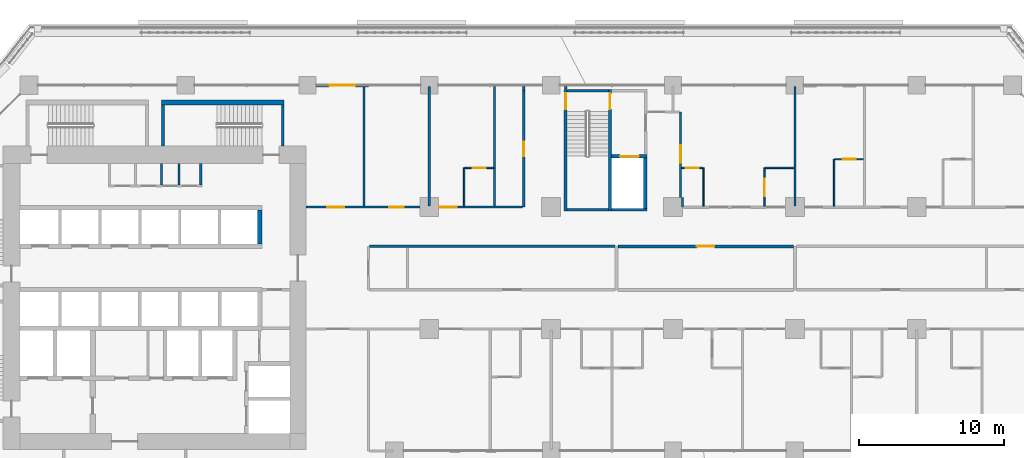
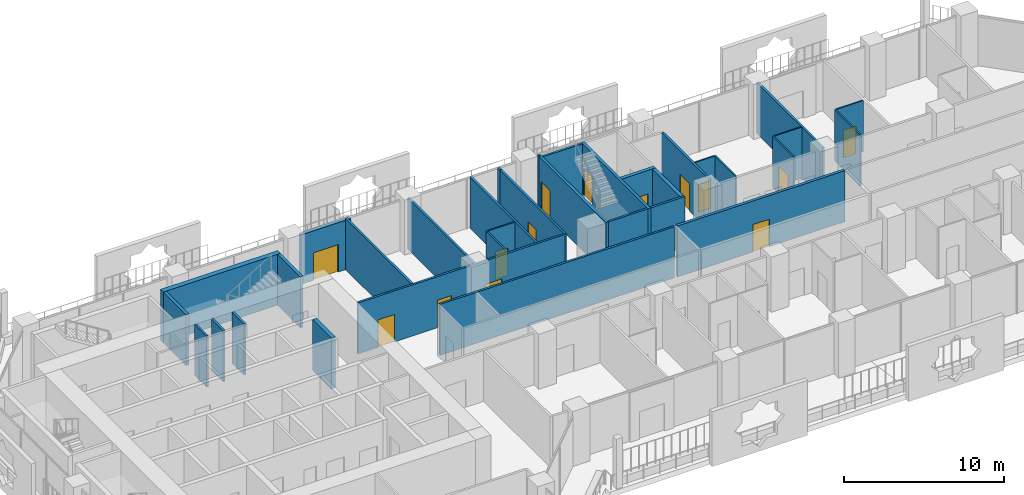
# One storey, part 18 of 28: 35 walls, 14 doors, 14 openings.
"""IFC4 building model written with IfcOpenShell, lengths in metres."""

import ifcopenshell
import ifcopenshell.guid

model = None  # the IFC model being written
_history = None  # IfcOwnerHistory: only IFC2X3 demands one
_inside = {}  # id of a spatial element -> (the spatial element, [elements in it])
_under = {}  # id of a project, library or spatial element -> (it, [spatial elements below it])
_declared = {}  # id of a project -> (the project, [libraries it declares])
_typed = {}  # id of a type object -> (the type object, [elements of that type])
_made_of = {}  # id of a material, layer set ... -> (it, [elements and type objects made of it])


def new_model(schema):
    """Start an empty IFC model of exactly this schema.

    Asked for "IFC4X3", IfcOpenShell would pick the latest addendum, in which some entities
    have other attributes; the version numbers below select the first issue.
    IFC2X3 requires an IfcOwnerHistory on every rooted entity: one is made here for all.
    """
    global model, _history
    if schema == "IFC4X3":
        model = ifcopenshell.file(schema_version=(4, 3, 0, 0))
    else:
        model = ifcopenshell.file(schema=schema)
    _inside.clear()
    _under.clear()
    _declared.clear()
    _typed.clear()
    _made_of.clear()
    _history = None
    if model.schema == "IFC2X3":
        org = make("IfcOrganization", Name="unknown")
        user = make(
            "IfcPersonAndOrganization",
            ThePerson=make("IfcPerson", FamilyName="unknown"),
            TheOrganization=org,
        )
        app = make(
            "IfcApplication",
            ApplicationDeveloper=org,
            Version="unknown",
            ApplicationFullName="unknown",
            ApplicationIdentifier="unknown",
        )
        _history = make(
            "IfcOwnerHistory",
            OwningUser=user,
            OwningApplication=app,
            ChangeAction="ADDED",
            CreationDate=0,
        )
    return model


def make(cls, **values):
    """One entity of the class cls with the attributes given. An attribute that is None is left unset."""
    return model.create_entity(
        cls, **{name: value for name, value in values.items() if value is not None}
    )


def rooted(cls, **values):
    """An entity with a GlobalId (a new one), such as an element, a storey or a relation."""
    return make(cls, GlobalId=ifcopenshell.guid.new(), OwnerHistory=_history, **values)


def si_unit(unit_type, name, prefix=None):
    """IfcSIUnit, for example si_unit("LENGTHUNIT", "METRE", prefix="MILLI")."""
    return make("IfcSIUnit", UnitType=unit_type, Prefix=prefix, Name=name)


def assignment(units):
    """IfcUnitAssignment: the units of a project."""
    return None if units is None else make("IfcUnitAssignment", Units=units)


def point(xyz):
    """IfcCartesianPoint."""
    return None if xyz is None else make("IfcCartesianPoint", Coordinates=xyz)


def direction(xyz):
    """IfcDirection."""
    return None if xyz is None else make("IfcDirection", DirectionRatios=xyz)


def frame(location, z_axis=None, x_axis=None):
    """IfcAxis2Placement3D, a coordinate frame: its origin and axes. An axis left out is left unset."""
    return make(
        "IfcAxis2Placement3D",
        Location=point(location),
        Axis=direction(z_axis),
        RefDirection=direction(x_axis),
    )


def frame_2d(location, x_axis=None):
    """IfcAxis2Placement2D, a coordinate frame in the plane: its origin and x axis."""
    return make(
        "IfcAxis2Placement2D", Location=point(location), RefDirection=direction(x_axis)
    )


def origin():
    """The frame at (0, 0, 0) with its axes left unset."""
    return frame((0.0, 0.0, 0.0))


def place(relative_to, where):
    """IfcLocalPlacement: puts the frame where relative to a parent placement (None: the world)."""
    return make(
        "IfcLocalPlacement", PlacementRelTo=relative_to, RelativePlacement=where
    )


def context(
    kind, dimensions, precision=None, world=None, true_north=None, identifier=None
):
    """IfcGeometricRepresentationContext, for example the 3D "Model" context."""
    return make(
        "IfcGeometricRepresentationContext",
        ContextIdentifier=identifier,
        ContextType=kind,
        CoordinateSpaceDimension=dimensions,
        Precision=precision,
        WorldCoordinateSystem=world,
        TrueNorth=true_north,
    )


def subcontext(parent, identifier, kind, view, scale=None):
    """IfcGeometricRepresentationSubContext, for example "Body" below "Model"."""
    return make(
        "IfcGeometricRepresentationSubContext",
        ContextIdentifier=identifier,
        ContextType=kind,
        ParentContext=parent,
        TargetScale=scale,
        TargetView=view,
    )


def project(units=None, contexts=None):
    """IfcProject with its units and contexts."""
    return rooted(
        "IfcProject",
        Name="project",
        RepresentationContexts=contexts,
        UnitsInContext=assignment(units),
    )


def spatial(cls, under=None, at=None, **own):
    """A site, building, storey or space (cls), placed at a placement, below another one or the project."""
    s = rooted(cls, ObjectPlacement=at, **own)
    if under is not None:
        _under.setdefault(under.id(), (under, []))[1].append(s)
    return s


def profile(cls, at=None, kind="AREA", **sizes):
    """A parametric profile (cls). Its sizes go by their IFC names, for example OverallWidth=200.0."""
    return make(cls, ProfileType=kind, Position=at, **sizes)


def rectangle(**sizes):
    """IfcRectangleProfileDef."""
    return profile("IfcRectangleProfileDef", **sizes)


def extrude(swept, where, along, depth):
    """IfcExtrudedAreaSolid: the profile swept, set in the frame where, extruded along a direction by depth."""
    return make(
        "IfcExtrudedAreaSolid",
        SweptArea=swept,
        Position=where,
        ExtrudedDirection=direction(along),
        Depth=depth,
    )


def shape(context_of_items, identifier, shape_type, items):
    """IfcShapeRepresentation: the items that make up one representation, for example the "Body"."""
    return make(
        "IfcShapeRepresentation",
        ContextOfItems=context_of_items,
        RepresentationIdentifier=identifier,
        RepresentationType=shape_type,
        Items=items,
    )


def material(Name=None, Category=None):
    """IfcMaterial."""
    return make("IfcMaterial", Name=Name, Category=Category)


def layer(
    of_material, thickness, ventilated=None, Name=None, Category=None, Priority=None
):
    """IfcMaterialLayer: one layer of a wall or slab, of a material (None: an air gap)."""
    return make(
        "IfcMaterialLayer",
        Material=of_material,
        LayerThickness=thickness,
        IsVentilated=ventilated,
        Name=Name,
        Category=Category,
        Priority=Priority,
    )


def layer_set(layers, Name=None):
    """IfcMaterialLayerSet."""
    return make("IfcMaterialLayerSet", MaterialLayers=layers, LayerSetName=Name)


def made_of(thing, what):
    """Note that an element or type object is made of a material, layer set ...; save() writes the relation."""
    if what is not None:
        _made_of.setdefault(what.id(), (what, []))[1].append(thing)
    return thing


def type_object(cls, material=None, **own):
    """A type object (cls), such as IfcWallType, which elements share."""
    return made_of(rooted(cls, **own), material)


def element(
    cls,
    number,
    at=None,
    inside=None,
    cuts=None,
    type_object=None,
    material=None,
    context=None,
    identifier="Body",
    shape_type=None,
    held_by="IfcProductDefinitionShape",
    body=None,
    shapes=None,
    **own,
):
    """One element of the class cls, such as IfcWall. Its Tag is "e" and its number.

    at: its placement. inside: the storey or other place that contains it. cuts: it is an
    opening in that element (IfcRelVoidsElement). A single representation is given by context,
    identifier, shape_type and body (its items); several are given by shapes. held_by: the class
    of the entity that holds the representations. save() writes the other relations.
    """
    e = rooted(cls, Tag="e%d" % number, ObjectPlacement=at, **own)
    if body is not None:
        shapes = [shape(context, identifier, shape_type, body)]
    if shapes is not None:
        e.Representation = make(held_by, Representations=shapes)
    if inside is not None:
        _inside.setdefault(inside.id(), (inside, []))[1].append(e)
    if cuts is not None:
        rooted(
            "IfcRelVoidsElement", RelatingBuildingElement=cuts, RelatedOpeningElement=e
        )
    if type_object is not None:
        _typed.setdefault(type_object.id(), (type_object, []))[1].append(e)
    return made_of(e, material)


def fill(opening, filler):
    """IfcRelFillsElement: the door or window that sits in an opening."""
    return rooted(
        "IfcRelFillsElement",
        RelatingOpeningElement=opening,
        RelatedBuildingElement=filler,
    )


def aggregate(whole, parts):
    """IfcRelAggregates: a whole, such as a stair, and the parts it consists of."""
    return rooted("IfcRelAggregates", RelatingObject=whole, RelatedObjects=parts)


def save(model, path):
    """Write the relations noted so far, then the file.

    IfcRelAggregates (storeys below a building ...), IfcRelContainedInSpatialStructure (elements
    in a storey), IfcRelDefinesByType, IfcRelAssociatesMaterial and IfcRelDeclares: one each for
    every whole, place, type object, material and project.
    """
    for whole, parts in _under.values():
        aggregate(whole, parts)
    for where, things in _inside.values():
        rooted(
            "IfcRelContainedInSpatialStructure",
            RelatedElements=things,
            RelatingStructure=where,
        )
    for kind, things in _typed.values():
        rooted("IfcRelDefinesByType", RelatedObjects=things, RelatingType=kind)
    for what, things in _made_of.values():
        rooted("IfcRelAssociatesMaterial", RelatedObjects=things, RelatingMaterial=what)
    for by, libraries in _declared.values():
        rooted("IfcRelDeclares", RelatingContext=by, RelatedDefinitions=libraries)
    model.write(path)


model = new_model("IFC4")

# Units and contexts
model_context = context("Model", 3, precision=1e-05, world=origin(), true_north=direction((0.0, 1.0)))
body_context = subcontext(model_context, "Body", "Model", "MODEL_VIEW")
ifc_project = project(units=[si_unit("LENGTHUNIT", "METRE"), si_unit("AREAUNIT", "SQUARE_METRE"), si_unit("VOLUMEUNIT", "CUBIC_METRE"), si_unit("PLANEANGLEUNIT", "RADIAN"), si_unit("MASSUNIT", "GRAM", prefix="KILO")], contexts=[model_context])

# Site, building, storey
site_placement = place(None, origin())
site = spatial("IfcSite", under=ifc_project, at=site_placement, CompositionType="ELEMENT")
building_placement = place(site_placement, origin())
building = spatial("IfcBuilding", under=site, at=building_placement, Name="Kawkab Arch Medical Tower", CompositionType="ELEMENT")
storey_placement = place(building_placement, frame((0.0, 0.0, 72.800048828125)))
storey = spatial("IfcBuildingStorey", under=building, at=storey_placement, Name="L16", CompositionType="ELEMENT", Elevation=72.800048828125)

# Walls
ifc_material_1 = material(Name="Gypsum board on steel studs", Category="steel")
ifc_layer_1 = layer(ifc_material_1, 0.14990234375)
ifc_layer_set_1 = layer_set([ifc_layer_1], Name="Gypsum board on steel studs")
wall_type_1 = type_object("IfcWallType", Name="Core room partition 150", PredefinedType="PARTITIONING", material=ifc_layer_set_1)
for number, where, z_axis, x_axis, name in (
    (1, (15.14990234375, -6.875, 0.0), (0.0, 0.0, 1.0), (0.0, 1.0, 0.0), "L16 core room partition"),
    (2, (16.35009765625, -6.875, 0.0), (0.0, 0.0, 1.0), (0.0, 1.0, 0.0), "L16 core room partition"),
    (3, (17.85009765625, -6.875, 0.0), (0.0, 0.0, 1.0), (0.0, 1.0, 0.0), "L16 core room partition"),
):
    element("IfcWall", number, at=place(storey_placement, frame(where, z_axis=z_axis, x_axis=x_axis)), inside=storey, type_object=wall_type_1, Name=name, PredefinedType="PARTITIONING", context=body_context, shape_type="SweptSolid", body=[
        extrude(rectangle(XDim=1.47509765625, YDim=0.14990234375, at=frame_2d((0.737548828125, 0.0))), origin(), (0.0, 0.0, 1.0), 3.89990234375),
    ])

# Wall, opening, door
ifc_material_2 = material(Name="Concrete C60/75", Category="concrete")
ifc_layer_2 = layer(ifc_material_2, 0.25)
ifc_layer_set_2 = layer_set([ifc_layer_2], Name="Concrete C60/75")
wall_type_2 = type_object("IfcWallType", Name="Core shear wall 250 C60/75", PredefinedType="SHEAR", material=ifc_layer_set_2)
wall_1_placement = place(storey_placement, frame((46.14990234375, -4.89990234375, 0.0), z_axis=(0.0, 0.0, 1.0), x_axis=(1.0, 0.0, 0.0)))
wall_1 = element("IfcWall", 4, at=wall_1_placement, inside=storey, type_object=wall_type_2, Name="L16 core shear wall", PredefinedType="SHEAR", context=body_context, shape_type="SweptSolid", body=[
    extrude(rectangle(XDim=2.4501953125, YDim=0.25, at=frame_2d((1.22509765625, 0.0))), origin(), (0.0, 0.0, 1.0), 3.89990234375),
])
opening_1_placement = place(wall_1_placement, frame((0.60009765625, 0.0, 0.0)))
opening_1 = element("IfcOpeningElement", 5, at=opening_1_placement, cuts=wall_1, Name="Opening LD2", PredefinedType="OPENING", context=body_context, shape_type="SweptSolid", body=[
    extrude(rectangle(XDim=1.300048828125, YDim=2.10009765625, at=frame_2d((0.64990234375, 1.050048828125))), frame((0.0, 0.135009765625, 0.0), z_axis=(0.0, -1.0, 0.0), x_axis=(1.0, 0.0, 0.0)), (0.0, 0.0, 1.0), 0.27001953125),
])
ifc_material_3 = material(Name="Stainless steel lift door leaf", Category="steel")
door_type_1 = type_object("IfcDoorType", Name="Lift landing door 1300", OperationType="DOUBLE_DOOR_SLIDING", PredefinedType="DOOR", material=ifc_material_3)
door_1_placement = place(opening_1_placement, origin())
door_1 = element("IfcDoor", 6, at=door_1_placement, inside=storey, type_object=door_type_1, Name="L16 Lift landing door SV1", OperationType="DOUBLE_DOOR_SLIDING", OverallHeight=2.10009765625, OverallWidth=1.300048828125, PredefinedType="DOOR", context=body_context, shape_type="SweptSolid", body=[
    extrude(rectangle(XDim=1.300048828125, YDim=2.10009765625, at=frame_2d((0.64990234375, 1.050048828125))), frame((0.0, 0.02490234375, 0.0), z_axis=(0.0, -1.0, 0.0), x_axis=(1.0, 0.0, 0.0)), (0.0, 0.0, 1.0), 0.050048828125),
])
fill(opening_1, door_1)

# Walls
wall_2_placement = place(storey_placement, frame((48.47509765625, -8.5, 0.0), z_axis=(0.0, 0.0, 1.0), x_axis=(0.0, 1.0, 0.0)))
element("IfcWall", 7, at=wall_2_placement, inside=storey, type_object=wall_type_2, Name="L16 core shear wall", PredefinedType="SHEAR", context=body_context, shape_type="SweptSolid", body=[
    extrude(rectangle(XDim=3.47509765625, YDim=0.25, at=frame_2d((1.737548828125, 0.0))), origin(), (0.0, 0.0, 1.0), 3.89990234375),
])
ifc_material_4 = material(Name="Concrete C60/75", Category="concrete")
ifc_layer_3 = layer(ifc_material_4, 0.300048828125)
ifc_layer_set_3 = layer_set([ifc_layer_3], Name="Concrete C60/75")
wall_type_3 = type_object("IfcWallType", Name="Core shear wall 300 C60/75", PredefinedType="SHEAR", material=ifc_layer_set_3)
wall_3_placement = place(storey_placement, frame((21.89990234375, -10.949951171875, 0.0), z_axis=(0.0, 0.0, 1.0), x_axis=(0.0, 1.0, 0.0)))
element("IfcWall", 8, at=wall_3_placement, inside=storey, type_object=wall_type_3, Name="L16 core shear wall", PredefinedType="SHEAR", context=body_context, shape_type="SweptSolid", body=[
    extrude(rectangle(XDim=2.349853515625, YDim=0.300048828125, at=frame_2d((1.1748046875, 0.0))), origin(), (0.0, 0.0, 1.0), 3.89990234375),
])

# Wall, opening, door
ifc_material_5 = material(Name="Bronze clad insulated wall panel")
ifc_layer_4 = layer(ifc_material_5, 0.25)
ifc_layer_set_4 = layer_set([ifc_layer_4], Name="Bronze clad insulated wall panel")
wall_type_4 = type_object("IfcWallType", Name="External wall bay 250", PredefinedType="SOLIDWALL", material=ifc_layer_set_4)
wall_4_placement = place(storey_placement, frame((29.39990234375, 0.0, 0.0), z_axis=(0.0, 0.0, 1.0), x_axis=(-1.0, 0.0, 0.0)))
wall_4 = element("IfcWall", 9, at=wall_4_placement, inside=storey, type_object=wall_type_4, Name="External wall bay L16.R11.6.2", PredefinedType="SOLIDWALL", context=body_context, shape_type="SweptSolid", body=[
    extrude(rectangle(XDim=3.599853515625, YDim=0.25, at=frame_2d((1.7998046875, 0.0))), origin(), (0.0, 0.0, 1.0), 3.780029296875),
])
opening_2_placement = place(wall_4_placement, frame((0.89990234375, 0.0, 0.0)))
opening_2 = element("IfcOpeningElement", 10, at=opening_2_placement, cuts=wall_4, Name="Opening W11-701", PredefinedType="OPENING", context=body_context, shape_type="SweptSolid", body=[
    extrude(rectangle(XDim=1.800048828125, YDim=2.10009765625, at=frame_2d((0.89990234375, 1.050048828125))), frame((0.0, 0.135009765625, 0.0), z_axis=(0.0, -1.0, 0.0), x_axis=(1.0, 0.0, 0.0)), (0.0, 0.0, 1.0), 0.27001953125),
])
ifc_material_6 = material(Name="Bronze anodised aluminium door with tinted glass", Category="aluminium")
door_type_2 = type_object("IfcDoorType", Name="Double external door 1800 x 2100", OperationType="DOUBLE_DOOR_SINGLE_SWING", PredefinedType="DOOR", material=ifc_material_6)
door_2_placement = place(opening_2_placement, origin())
door_2 = element("IfcDoor", 11, at=door_2_placement, inside=storey, type_object=door_type_2, Name="External door L16.R11.6.2", OperationType="DOUBLE_DOOR_SINGLE_SWING", OverallHeight=2.10009765625, OverallWidth=1.800048828125, PredefinedType="DOOR", context=body_context, shape_type="SweptSolid", body=[
    extrude(rectangle(XDim=1.800048828125, YDim=2.10009765625, at=frame_2d((0.89990234375, 1.050048828125))), frame((0.0, 0.02490234375, 0.0), z_axis=(0.0, -1.0, 0.0), x_axis=(1.0, 0.0, 0.0)), (0.0, 0.0, 1.0), 0.050048828125),
])
fill(opening_2, door_2)

ifc_material_7 = material(Name="Gypsum board partition on steel studs", Category="steel")
ifc_layer_5 = layer(ifc_material_7, 0.10009765625)
ifc_layer_set_5 = layer_set([ifc_layer_5], Name="Gypsum board partition on steel studs")
wall_type_5 = type_object("IfcWallType", Name="Partition 100", PredefinedType="PARTITIONING", material=ifc_layer_set_5)
wall_5_placement = place(storey_placement, frame((36.050048828125, -5.699951171875, 0.0), z_axis=(0.0, 0.0, 1.0), x_axis=(1.0, 0.0, 0.0)))
wall_5 = element("IfcWall", 12, at=wall_5_placement, inside=storey, type_object=wall_type_5, Name="Partition 100 w016", PredefinedType="PARTITIONING", context=body_context, shape_type="SweptSolid", body=[
    extrude(rectangle(XDim=1.974853515625, YDim=0.10009765625, at=frame_2d((0.9873046875, 0.0))), origin(), (0.0, 0.0, 1.0), 3.89990234375),
])
opening_3_placement = place(wall_5_placement, frame((0.550048828125, 0.0, 0.0)))
opening_3 = element("IfcOpeningElement", 13, at=opening_3_placement, cuts=wall_5, Name="Opening W11-006", PredefinedType="OPENING", context=body_context, shape_type="SweptSolid", body=[
    extrude(rectangle(XDim=0.89990234375, YDim=2.10009765625, at=frame_2d((0.449951171875, 1.050048828125))), frame((0.0, 0.06005859375, 0.0), z_axis=(0.0, -1.0, 0.0), x_axis=(1.0, 0.0, 0.0)), (0.0, 0.0, 1.0), 0.1201171875),
])
ifc_material_8 = material(Name="Timber door leaf", Category="wood")
door_type_3 = type_object("IfcDoorType", Name="Single door 900x2100", OperationType="NOTDEFINED", PredefinedType="DOOR", material=ifc_material_8)
door_3_placement = place(opening_3_placement, origin())
door_3 = element("IfcDoor", 14, at=door_3_placement, inside=storey, type_object=door_type_3, Name="Door W11-006", OperationType="SINGLE_SWING_RIGHT", OverallHeight=2.10009765625, OverallWidth=0.89990234375, PredefinedType="DOOR", context=body_context, shape_type="SweptSolid", body=[
    extrude(rectangle(XDim=0.89990234375, YDim=2.10009765625, at=frame_2d((0.449951171875, 1.050048828125))), frame((0.0, 0.02490234375, 0.0), z_axis=(0.0, -1.0, 0.0), x_axis=(1.0, 0.0, 0.0)), (0.0, 0.0, 1.0), 0.050048828125),
])
fill(opening_3, door_3)

wall_6_placement = place(storey_placement, frame((51.0, -5.699951171875, 0.0), z_axis=(0.0, 0.0, 1.0), x_axis=(1.0, 0.0, 0.0)))
wall_6 = element("IfcWall", 15, at=wall_6_placement, inside=storey, type_object=wall_type_5, Name="Partition 100 w017", PredefinedType="PARTITIONING", context=body_context, shape_type="SweptSolid", body=[
    extrude(rectangle(XDim=1.449951171875, YDim=0.10009765625, at=frame_2d((0.72509765625, 0.0))), origin(), (0.0, 0.0, 1.0), 3.89990234375),
])
opening_4_placement = place(wall_6_placement, frame((0.261962890625, 0.0, 0.0)))
opening_4 = element("IfcOpeningElement", 16, at=opening_4_placement, cuts=wall_6, Name="Opening W11-007", PredefinedType="OPENING", context=body_context, shape_type="SweptSolid", body=[
    extrude(rectangle(XDim=0.89990234375, YDim=2.10009765625, at=frame_2d((0.449951171875, 1.050048828125))), frame((0.0, 0.06005859375, 0.0), z_axis=(0.0, -1.0, 0.0), x_axis=(1.0, 0.0, 0.0)), (0.0, 0.0, 1.0), 0.1201171875),
])
door_4_placement = place(opening_4_placement, origin())
door_4 = element("IfcDoor", 17, at=door_4_placement, inside=storey, type_object=door_type_3, Name="Door W11-007", OperationType="SINGLE_SWING_RIGHT", OverallHeight=2.10009765625, OverallWidth=0.89990234375, PredefinedType="DOOR", context=body_context, shape_type="SweptSolid", body=[
    extrude(rectangle(XDim=0.89990234375, YDim=2.10009765625, at=frame_2d((0.449951171875, 1.050048828125))), frame((0.0, 0.02490234375, 0.0), z_axis=(0.0, -1.0, 0.0), x_axis=(1.0, 0.0, 0.0)), (0.0, 0.0, 1.0), 0.050048828125),
])
fill(opening_4, door_4)

# Wall
wall_7_placement = place(storey_placement, frame((56.75, -5.699951171875, 0.0), z_axis=(0.0, 0.0, 1.0), x_axis=(1.0, 0.0, 0.0)))
element("IfcWall", 18, at=wall_7_placement, inside=storey, type_object=wall_type_5, Name="Partition 100 w018", PredefinedType="PARTITIONING", context=body_context, shape_type="SweptSolid", body=[
    extrude(rectangle(XDim=1.97509765625, YDim=0.10009765625, at=frame_2d((0.987548828125, 0.0))), origin(), (0.0, 0.0, 1.0), 3.89990234375),
])

# Wall, opening, door
wall_8_placement = place(storey_placement, frame((61.550048828125, -5.10009765625, 0.0), z_axis=(0.0, 0.0, 1.0), x_axis=(1.0, 0.0, 0.0)))
wall_8 = element("IfcWall", 19, at=wall_8_placement, inside=storey, type_object=wall_type_5, Name="Partition 100 w019", PredefinedType="PARTITIONING", context=body_context, shape_type="SweptSolid", body=[
    extrude(rectangle(XDim=1.974853515625, YDim=0.10009765625, at=frame_2d((0.9873046875, 0.0))), origin(), (0.0, 0.0, 1.0), 3.89990234375),
])
opening_5_placement = place(wall_8_placement, frame((0.550048828125, 0.0, 0.0)))
opening_5 = element("IfcOpeningElement", 20, at=opening_5_placement, cuts=wall_8, Name="Opening W11-008", PredefinedType="OPENING", context=body_context, shape_type="SweptSolid", body=[
    extrude(rectangle(XDim=0.89990234375, YDim=2.10009765625, at=frame_2d((0.449951171875, 1.050048828125))), frame((0.0, 0.06005859375, 0.0), z_axis=(0.0, -1.0, 0.0), x_axis=(1.0, 0.0, 0.0)), (0.0, 0.0, 1.0), 0.1201171875),
])
door_5_placement = place(opening_5_placement, origin())
door_5 = element("IfcDoor", 21, at=door_5_placement, inside=storey, type_object=door_type_3, Name="Door W11-008", OperationType="SINGLE_SWING_RIGHT", OverallHeight=2.10009765625, OverallWidth=0.89990234375, PredefinedType="DOOR", context=body_context, shape_type="SweptSolid", body=[
    extrude(rectangle(XDim=0.89990234375, YDim=2.10009765625, at=frame_2d((0.449951171875, 1.050048828125))), frame((0.0, 0.02490234375, 0.0), z_axis=(0.0, -1.0, 0.0), x_axis=(1.0, 0.0, 0.0)), (0.0, 0.0, 1.0), 0.050048828125),
])
fill(opening_5, door_5)

# Walls
for number, where, z_axis, x_axis, name in (
    (22, (36.0, -8.324951171875, 0.0), (0.0, 0.0, 1.0), (0.0, 1.0, 0.0), "Partition 100 w027"),
    (23, (52.5, -8.324951171875, 0.0), (0.0, 0.0, 1.0), (0.0, 1.0, 0.0), "Partition 100 w031"),
):
    element("IfcWall", number, at=place(storey_placement, frame(where, z_axis=z_axis, x_axis=x_axis)), inside=storey, type_object=wall_type_5, Name=name, PredefinedType="PARTITIONING", context=body_context, shape_type="SweptSolid", body=[
        extrude(rectangle(XDim=2.625, YDim=0.10009765625, at=frame_2d((1.3125, 0.0))), origin(), (0.0, 0.0, 1.0), 3.89990234375),
    ])

# Wall, opening, door
wall_9_placement = place(storey_placement, frame((56.699951171875, -8.324951171875, 0.0), z_axis=(0.0, 0.0, 1.0), x_axis=(0.0, 1.0, 0.0)))
wall_9 = element("IfcWall", 24, at=wall_9_placement, inside=storey, type_object=wall_type_5, Name="Partition 100 w033", PredefinedType="PARTITIONING", context=body_context, shape_type="SweptSolid", body=[
    extrude(rectangle(XDim=2.625, YDim=0.10009765625, at=frame_2d((1.3125, 0.0))), origin(), (0.0, 0.0, 1.0), 3.89990234375),
])
opening_6_placement = place(wall_9_placement, frame((0.675048828125, 0.0, 0.0)))
opening_6 = element("IfcOpeningElement", 25, at=opening_6_placement, cuts=wall_9, Name="Opening W11-048", PredefinedType="OPENING", context=body_context, shape_type="SweptSolid", body=[
    extrude(rectangle(XDim=1.199951171875, YDim=2.10009765625, at=frame_2d((0.60009765625, 1.050048828125))), frame((0.0, 0.06005859375, 0.0), z_axis=(0.0, -1.0, 0.0), x_axis=(1.0, 0.0, 0.0)), (0.0, 0.0, 1.0), 0.1201171875),
])
ifc_material_9 = material(Name="Timber door leaf", Category="wood")
door_type_4 = type_object("IfcDoorType", Name="Single door 1200x2100", OperationType="NOTDEFINED", PredefinedType="DOOR", material=ifc_material_9)
door_6_placement = place(opening_6_placement, origin())
door_6 = element("IfcDoor", 26, at=door_6_placement, inside=storey, type_object=door_type_4, Name="Door W11-048", OperationType="SINGLE_SWING_LEFT", OverallHeight=2.10009765625, OverallWidth=1.199951171875, PredefinedType="DOOR", context=body_context, shape_type="SweptSolid", body=[
    extrude(rectangle(XDim=1.199951171875, YDim=2.10009765625, at=frame_2d((0.60009765625, 1.050048828125))), frame((0.0, 0.02490234375, 0.0), z_axis=(0.0, -1.0, 0.0), x_axis=(1.0, 0.0, 0.0)), (0.0, 0.0, 1.0), 0.050048828125),
])
fill(opening_6, door_6)

# Walls
wall_10_placement = place(storey_placement, frame((61.5, -8.324951171875, 0.0), z_axis=(0.0, 0.0, 1.0), x_axis=(0.0, 1.0, 0.0)))
element("IfcWall", 27, at=wall_10_placement, inside=storey, type_object=wall_type_5, Name="Partition 100 w035", PredefinedType="PARTITIONING", context=body_context, shape_type="SweptSolid", body=[
    extrude(rectangle(XDim=3.224853515625, YDim=0.10009765625, at=frame_2d((1.6123046875, 0.0))), origin(), (0.0, 0.0, 1.0), 3.89990234375),
])
ifc_material_10 = material(Name="Gypsum board partition on steel studs, mineral wool", Category="steel")
ifc_layer_6 = layer(ifc_material_10, 0.14990234375)
ifc_layer_set_6 = layer_set([ifc_layer_6], Name="Gypsum board partition on steel studs, mineral wool")
wall_type_6 = type_object("IfcWallType", Name="Partition 150", PredefinedType="PARTITIONING", material=ifc_layer_set_6)
wall_11_placement = place(storey_placement, frame((29.47509765625, -11.10009765625, 0.0), z_axis=(0.0, 0.0, 1.0), x_axis=(1.0, 0.0, 0.0)))
element("IfcWall", 28, at=wall_11_placement, inside=storey, type_object=wall_type_6, Name="Partition 150 w065", PredefinedType="PARTITIONING", context=body_context, shape_type="SweptSolid", body=[
    extrude(rectangle(XDim=16.9248046875, YDim=0.14990234375, at=frame_2d((8.46240234375, 0.0))), origin(), (0.0, 0.0, 1.0), 3.89990234375),
])

# Wall, openings, doors
wall_12_placement = place(storey_placement, frame((25.10009765625, -8.39990234375, 0.0), z_axis=(0.0, 0.0, 1.0), x_axis=(1.0, 0.0, 0.0)))
wall_12 = element("IfcWall", 29, at=wall_12_placement, inside=storey, type_object=wall_type_6, Name="Partition 150 w068", PredefinedType="PARTITIONING", context=body_context, shape_type="SweptSolid", body=[
    extrude(rectangle(XDim=14.931884765625, YDim=0.14990234375, at=frame_2d((7.4658203125, 0.0))), origin(), (0.0, 0.0, 1.0), 3.89990234375),
])
opening_7_placement = place(wall_12_placement, frame((1.449951171875, 0.0, 0.0)))
opening_7 = element("IfcOpeningElement", 30, at=opening_7_placement, cuts=wall_12, Name="Opening W11-042", PredefinedType="OPENING", context=body_context, shape_type="SweptSolid", body=[
    extrude(rectangle(XDim=1.199951171875, YDim=2.10009765625, at=frame_2d((0.60009765625, 1.050048828125))), frame((0.0, 0.0849609375, 0.0), z_axis=(0.0, -1.0, 0.0), x_axis=(1.0, 0.0, 0.0)), (0.0, 0.0, 1.0), 0.169921875),
])
opening_8_placement = place(wall_12_placement, frame((5.75, 0.0, 0.0)))
opening_8 = element("IfcOpeningElement", 31, at=opening_8_placement, cuts=wall_12, Name="Opening W11-029", PredefinedType="OPENING", context=body_context, shape_type="SweptSolid", body=[
    extrude(rectangle(XDim=1.0, YDim=2.10009765625, at=frame_2d((0.5, 1.050048828125))), frame((0.0, 0.0849609375, 0.0), z_axis=(0.0, -1.0, 0.0), x_axis=(1.0, 0.0, 0.0)), (0.0, 0.0, 1.0), 0.169921875),
])
opening_9_placement = place(wall_12_placement, frame((9.199951171875, 0.0, 0.0)))
opening_9 = element("IfcOpeningElement", 32, at=opening_9_placement, cuts=wall_12, Name="Opening W11-043", PredefinedType="OPENING", context=body_context, shape_type="SweptSolid", body=[
    extrude(rectangle(XDim=1.199951171875, YDim=2.10009765625, at=frame_2d((0.60009765625, 1.050048828125))), frame((0.0, 0.0849609375, 0.0), z_axis=(0.0, -1.0, 0.0), x_axis=(1.0, 0.0, 0.0)), (0.0, 0.0, 1.0), 0.169921875),
])
ifc_material_11 = material(Name="Hollow metal door leaf")
door_type_5 = type_object("IfcDoorType", Name="Single door 1000x2100 FD30S", OperationType="NOTDEFINED", PredefinedType="DOOR", material=ifc_material_11)
door_7_placement = place(opening_8_placement, origin())
door_7 = element("IfcDoor", 33, at=door_7_placement, inside=storey, type_object=door_type_5, Name="Door W11-029", OperationType="SINGLE_SWING_LEFT", OverallHeight=2.10009765625, OverallWidth=1.0, PredefinedType="DOOR", context=body_context, shape_type="SweptSolid", body=[
    extrude(rectangle(XDim=1.0, YDim=2.10009765625, at=frame_2d((0.5, 1.050048828125))), frame((0.0, 0.02490234375, 0.0), z_axis=(0.0, -1.0, 0.0), x_axis=(1.0, 0.0, 0.0)), (0.0, 0.0, 1.0), 0.050048828125),
])
fill(opening_8, door_7)
ifc_material_12 = material(Name="Hollow metal door leaf")
door_type_6 = type_object("IfcDoorType", Name="Single door 1200x2100 FD30S", OperationType="NOTDEFINED", PredefinedType="DOOR", material=ifc_material_12)
door_8_placement = place(opening_7_placement, origin())
door_8 = element("IfcDoor", 34, at=door_8_placement, inside=storey, type_object=door_type_6, Name="Door W11-042", OperationType="SINGLE_SWING_LEFT", OverallHeight=2.10009765625, OverallWidth=1.199951171875, PredefinedType="DOOR", context=body_context, shape_type="SweptSolid", body=[
    extrude(rectangle(XDim=1.199951171875, YDim=2.10009765625, at=frame_2d((0.60009765625, 1.050048828125))), frame((0.0, 0.02490234375, 0.0), z_axis=(0.0, -1.0, 0.0), x_axis=(1.0, 0.0, 0.0)), (0.0, 0.0, 1.0), 0.050048828125),
])
fill(opening_7, door_8)
door_9_placement = place(opening_9_placement, origin())
door_9 = element("IfcDoor", 35, at=door_9_placement, inside=storey, type_object=door_type_6, Name="Door W11-043", OperationType="SINGLE_SWING_RIGHT", OverallHeight=2.10009765625, OverallWidth=1.199951171875, PredefinedType="DOOR", context=body_context, shape_type="SweptSolid", body=[
    extrude(rectangle(XDim=1.199951171875, YDim=2.10009765625, at=frame_2d((0.60009765625, 1.050048828125))), frame((0.0, 0.02490234375, 0.0), z_axis=(0.0, -1.0, 0.0), x_axis=(1.0, 0.0, 0.0)), (0.0, 0.0, 1.0), 0.050048828125),
])
fill(opening_9, door_9)

# Walls
for number, where, z_axis, x_axis, name in (
    (36, (29.10009765625, -8.324951171875, 0.0), (0.0, 0.0, 1.0), (0.0, 1.0, 0.0), "Partition 150 w079"),
    (37, (33.60009765625, -8.324951171875, 0.0), (0.0, 0.0, 1.0), (0.0, 1.0, 0.0), "Partition 150 w083"),
    (38, (38.10009765625, -8.324951171875, 0.0), (0.0, 0.0, 1.0), (0.0, 1.0, 0.0), "Partition 150 w085"),
):
    element("IfcWall", number, at=place(storey_placement, frame(where, z_axis=z_axis, x_axis=x_axis)), inside=storey, type_object=wall_type_6, Name=name, PredefinedType="PARTITIONING", context=body_context, shape_type="SweptSolid", body=[
        extrude(rectangle(XDim=8.244873046875, YDim=0.14990234375, at=frame_2d((4.12255859375, 0.0))), origin(), (0.0, 0.0, 1.0), 3.89990234375),
    ])

# Wall, opening, door
wall_13_placement = place(storey_placement, frame((40.10693359375, -8.39990234375, 0.0), z_axis=(0.0, 0.0, 1.0), x_axis=(0.0, 1.0, 0.0)))
wall_13 = element("IfcWall", 39, at=wall_13_placement, inside=storey, type_object=wall_type_6, Name="Partition 150 w086", PredefinedType="PARTITIONING", context=body_context, shape_type="SweptSolid", body=[
    extrude(rectangle(XDim=8.0478515625, YDim=0.14990234375, at=frame_2d((4.02392578125, 0.0))), origin(), (0.0, 0.0, 1.0), 3.89990234375),
])
opening_10_placement = place(wall_13_placement, frame((3.52392578125, 0.0, 0.0)))
opening_10 = element("IfcOpeningElement", 40, at=opening_10_placement, cuts=wall_13, Name="Opening W11-030", PredefinedType="OPENING", context=body_context, shape_type="SweptSolid", body=[
    extrude(rectangle(XDim=1.0, YDim=2.10009765625, at=frame_2d((0.5, 1.050048828125))), frame((0.0, 0.0849609375, 0.0), z_axis=(0.0, -1.0, 0.0), x_axis=(1.0, 0.0, 0.0)), (0.0, 0.0, 1.0), 0.169921875),
])
door_10_placement = place(opening_10_placement, origin())
door_10 = element("IfcDoor", 41, at=door_10_placement, inside=storey, type_object=door_type_5, Name="Door W11-030", OperationType="SINGLE_SWING_LEFT", OverallHeight=2.10009765625, OverallWidth=1.0, PredefinedType="DOOR", context=body_context, shape_type="SweptSolid", body=[
    extrude(rectangle(XDim=1.0, YDim=2.10009765625, at=frame_2d((0.5, 1.050048828125))), frame((0.0, 0.02490234375, 0.0), z_axis=(0.0, -1.0, 0.0), x_axis=(1.0, 0.0, 0.0)), (0.0, 0.0, 1.0), 0.050048828125),
])
fill(opening_10, door_10)

# Walls
wall_14_placement = place(storey_placement, frame((40.10693359375, -0.35009765625, 0.0), z_axis=(0.0, 0.0, 1.0), x_axis=(0.0, 1.0, 0.0)))
element("IfcWall", 42, at=wall_14_placement, inside=storey, type_object=wall_type_6, Name="Partition 150 w087", PredefinedType="PARTITIONING", context=body_context, shape_type="SweptSolid", body=[
    extrude(rectangle(XDim=0.27001953125, YDim=0.14990234375, at=frame_2d((0.135009765625, 0.0))), origin(), (0.0, 0.0, 1.0), 3.89990234375),
])
wall_15_placement = place(storey_placement, frame((43.0, -0.27001953125, 0.0), z_axis=(0.0, 0.0, 1.0), x_axis=(0.0, 1.0, 0.0)))
element("IfcWall", 43, at=wall_15_placement, inside=storey, type_object=wall_type_6, Name="Partition 150 w089", PredefinedType="PARTITIONING", context=body_context, shape_type="SweptSolid", body=[
    extrude(rectangle(XDim=0.18994140625, YDim=0.14990234375, at=frame_2d((0.094970703125, 0.0))), origin(), (0.0, 0.0, 1.0), 3.89990234375),
])

# Wall, opening, door
wall_16_placement = place(storey_placement, frame((50.925048828125, -7.748046875, 0.0), z_axis=(0.0, 0.0, 1.0), x_axis=(0.0, 1.0, 0.0)))
wall_16 = element("IfcWall", 44, at=wall_16_placement, inside=storey, type_object=wall_type_6, Name="Partition 150 w092", PredefinedType="PARTITIONING", context=body_context, shape_type="SweptSolid", body=[
    extrude(rectangle(XDim=5.89794921875, YDim=0.14990234375, at=frame_2d((2.948974609375, 0.0))), origin(), (0.0, 0.0, 1.0), 3.89990234375),
])
opening_11_placement = place(wall_16_placement, frame((2.409912109375, 0.0, 0.0)))
opening_11 = element("IfcOpeningElement", 45, at=opening_11_placement, cuts=wall_16, Name="Opening W11-046", PredefinedType="OPENING", context=body_context, shape_type="SweptSolid", body=[
    extrude(rectangle(XDim=1.199951171875, YDim=2.10009765625, at=frame_2d((0.60009765625, 1.050048828125))), frame((0.0, 0.0849609375, 0.0), z_axis=(0.0, -1.0, 0.0), x_axis=(1.0, 0.0, 0.0)), (0.0, 0.0, 1.0), 0.169921875),
])
door_11_placement = place(opening_11_placement, origin())
door_11 = element("IfcDoor", 46, at=door_11_placement, inside=storey, type_object=door_type_6, Name="Door W11-046", OperationType="SINGLE_SWING_RIGHT", OverallHeight=2.10009765625, OverallWidth=1.199951171875, PredefinedType="DOOR", context=body_context, shape_type="SweptSolid", body=[
    extrude(rectangle(XDim=1.199951171875, YDim=2.10009765625, at=frame_2d((0.60009765625, 1.050048828125))), frame((0.0, 0.02490234375, 0.0), z_axis=(0.0, -1.0, 0.0), x_axis=(1.0, 0.0, 0.0)), (0.0, 0.0, 1.0), 0.050048828125),
])
fill(opening_11, door_11)

# Walls
wall_17_placement = place(storey_placement, frame((51.050048828125, -8.39990234375, 0.0), z_axis=(0.0, 0.0, 1.0), x_axis=(0.0, 1.0, 0.0)))
element("IfcWall", 47, at=wall_17_placement, inside=storey, type_object=wall_type_6, Name="Partition 150 w093", PredefinedType="PARTITIONING", context=body_context, shape_type="SweptSolid", body=[
    extrude(rectangle(XDim=0.64990234375, YDim=0.14990234375, at=frame_2d((0.324951171875, 0.0))), origin(), (0.0, 0.0, 1.0), 3.89990234375),
])
wall_18_placement = place(storey_placement, frame((58.800048828125, -8.324951171875, 0.0), z_axis=(0.0, 0.0, 1.0), x_axis=(0.0, 1.0, 0.0)))
element("IfcWall", 48, at=wall_18_placement, inside=storey, type_object=wall_type_6, Name="Partition 150 w095", PredefinedType="PARTITIONING", context=body_context, shape_type="SweptSolid", body=[
    extrude(rectangle(XDim=8.244873046875, YDim=0.14990234375, at=frame_2d((4.12255859375, 0.0))), origin(), (0.0, 0.0, 1.0), 3.89990234375),
])

# Wall, opening, door
ifc_material_13 = material(Name="Fire-rated gypsum board partition on steel studs", Category="steel")
ifc_layer_7 = layer(ifc_material_13, 0.199951171875)
ifc_layer_set_7 = layer_set([ifc_layer_7], Name="Fire-rated gypsum board partition on steel studs")
wall_type_7 = type_object("IfcWallType", Name="Protected partition 200", PredefinedType="PARTITIONING", material=ifc_layer_set_7)
wall_19_placement = place(storey_placement, frame((46.60009765625, -11.10009765625, 0.0), z_axis=(0.0, 0.0, 1.0), x_axis=(1.0, 0.0, 0.0)))
wall_19 = element("IfcWall", 49, at=wall_19_placement, inside=storey, type_object=wall_type_7, Name="Protected partition 200 w105", PredefinedType="PARTITIONING", context=body_context, shape_type="SweptSolid", body=[
    extrude(rectangle(XDim=12.099853515625, YDim=0.199951171875, at=frame_2d((6.0498046875, 0.0))), origin(), (0.0, 0.0, 1.0), 3.89990234375),
])
opening_12_placement = place(wall_19_placement, frame((5.449951171875, 0.0, 0.0)))
opening_12 = element("IfcOpeningElement", 50, at=opening_12_placement, cuts=wall_19, Name="Opening W11-074", PredefinedType="OPENING", context=body_context, shape_type="SweptSolid", body=[
    extrude(rectangle(XDim=1.199951171875, YDim=2.10009765625, at=frame_2d((0.60009765625, 1.050048828125))), frame((0.0, 0.10986328125, 0.0), z_axis=(0.0, -1.0, 0.0), x_axis=(1.0, 0.0, 0.0)), (0.0, 0.0, 1.0), 0.219970703125),
])
ifc_material_14 = material(Name="Hollow metal door leaf")
door_type_7 = type_object("IfcDoorType", Name="Single door 1200x2100 FD60", OperationType="NOTDEFINED", PredefinedType="DOOR", material=ifc_material_14)
door_12_placement = place(opening_12_placement, origin())
door_12 = element("IfcDoor", 51, at=door_12_placement, inside=storey, type_object=door_type_7, Name="Door W11-074", OperationType="SINGLE_SWING_LEFT", OverallHeight=2.10009765625, OverallWidth=1.199951171875, PredefinedType="DOOR", context=body_context, shape_type="SweptSolid", body=[
    extrude(rectangle(XDim=1.199951171875, YDim=2.10009765625, at=frame_2d((0.60009765625, 1.050048828125))), frame((0.0, 0.02490234375, 0.0), z_axis=(0.0, -1.0, 0.0), x_axis=(1.0, 0.0, 0.0)), (0.0, 0.0, 1.0), 0.050048828125),
])
fill(opening_12, door_12)

# Walls
ifc_material_15 = material(Name="Concrete C50/60", Category="concrete")
ifc_layer_8 = layer(ifc_material_15, 0.14990234375)
ifc_layer_set_8 = layer_set([ifc_layer_8], Name="Concrete C50/60")
wall_type_8 = type_object("IfcWallType", Name="Stair enclosure wall 150 C50/60", PredefinedType="SHEAR", material=ifc_layer_set_8)
for number, where, z_axis, x_axis, name in (
    (52, (43.10009765625, -0.375, 0.0), (0.0, 0.0, 1.0), (1.0, 0.0, 0.0), "L16 stair enclosure wall"),
    (53, (43.10009765625, -8.574951171875, 0.0), (0.0, 0.0, 1.0), (1.0, 0.0, 0.0), "L16 stair enclosure wall"),
):
    element("IfcWall", number, at=place(storey_placement, frame(where, z_axis=z_axis, x_axis=x_axis)), inside=storey, type_object=wall_type_8, Name=name, PredefinedType="SHEAR", context=body_context, shape_type="SweptSolid", body=[
        extrude(rectangle(XDim=2.849853515625, YDim=0.14990234375, at=frame_2d((1.4248046875, 0.0))), origin(), (0.0, 0.0, 1.0), 3.89990234375),
    ])
wall_20_placement = place(storey_placement, frame((46.14990234375, -8.574951171875, 0.0), z_axis=(0.0, 0.0, 1.0), x_axis=(1.0, 0.0, 0.0)))
element("IfcWall", 54, at=wall_20_placement, inside=storey, type_object=wall_type_8, Name="L16 stair enclosure wall", PredefinedType="SHEAR", context=body_context, shape_type="SweptSolid", body=[
    extrude(rectangle(XDim=2.4501953125, YDim=0.14990234375, at=frame_2d((1.22509765625, 0.0))), origin(), (0.0, 0.0, 1.0), 3.89990234375),
])
ifc_material_16 = material(Name="Concrete C50/60", Category="concrete")
ifc_layer_9 = layer(ifc_material_16, 0.199951171875)
ifc_layer_set_9 = layer_set([ifc_layer_9], Name="Concrete C50/60")
wall_type_9 = type_object("IfcWallType", Name="Stair enclosure wall 200 C50/60", PredefinedType="SHEAR", material=ifc_layer_set_9)
for number, where, z_axis, x_axis, name in (
    (55, (15.25, -4.199951171875, 0.0), (0.0, 0.0, 1.0), (0.0, 1.0, 0.0), "L16 stair enclosure wall"),
    (56, (23.5, -4.199951171875, 0.0), (0.0, 0.0, 1.0), (0.0, 1.0, 0.0), "L16 stair enclosure wall"),
):
    element("IfcWall", number, at=place(storey_placement, frame(where, z_axis=z_axis, x_axis=x_axis)), inside=storey, type_object=wall_type_9, Name=name, PredefinedType="SHEAR", context=body_context, shape_type="SweptSolid", body=[
        extrude(rectangle(XDim=2.849853515625, YDim=0.199951171875, at=frame_2d((1.4248046875, 0.0))), origin(), (0.0, 0.0, 1.0), 3.89990234375),
    ])

# Wall, opening, door
wall_21_placement = place(storey_placement, frame((43.0, -8.64990234375, 0.0), z_axis=(0.0, 0.0, 1.0), x_axis=(0.0, 1.0, 0.0)))
wall_21 = element("IfcWall", 57, at=wall_21_placement, inside=storey, type_object=wall_type_9, Name="L16 stair enclosure wall", PredefinedType="SHEAR", context=body_context, shape_type="SweptSolid", body=[
    extrude(rectangle(XDim=8.349853515625, YDim=0.199951171875, at=frame_2d((4.1748046875, 0.0))), origin(), (0.0, 0.0, 1.0), 3.89990234375),
])
opening_13_placement = place(wall_21_placement, frame((7.0, 0.0, 0.0)))
opening_13 = element("IfcOpeningElement", 58, at=opening_13_placement, cuts=wall_21, Name="Opening SD", PredefinedType="OPENING", context=body_context, shape_type="SweptSolid", body=[
    extrude(rectangle(XDim=1.10009765625, YDim=2.10009765625, at=frame_2d((0.550048828125, 1.050048828125))), frame((0.0, 0.10986328125, 0.0), z_axis=(0.0, -1.0, 0.0), x_axis=(1.0, 0.0, 0.0)), (0.0, 0.0, 1.0), 0.219970703125),
])
ifc_material_17 = material(Name="Hollow metal fire door leaf")
door_type_8 = type_object("IfcDoorType", Name="Exit stair door 1100", OperationType="SINGLE_SWING_LEFT", PredefinedType="DOOR", material=ifc_material_17)
door_13_placement = place(opening_13_placement, frame((1.10009765625, 0.0, 0.0), z_axis=(0.0, 0.0, 1.0), x_axis=(-1.0, 0.0, 0.0)))
door_13 = element("IfcDoor", 59, at=door_13_placement, inside=storey, type_object=door_type_8, Name="L16 Exit stair ST5 door", OperationType="SINGLE_SWING_LEFT", OverallHeight=2.10009765625, OverallWidth=1.10009765625, PredefinedType="DOOR", context=body_context, shape_type="SweptSolid", body=[
    extrude(rectangle(XDim=1.10009765625, YDim=2.10009765625, at=frame_2d((0.550048828125, 1.050048828125))), frame((0.0, 0.02490234375, 0.0), z_axis=(0.0, -1.0, 0.0), x_axis=(1.0, 0.0, 0.0)), (0.0, 0.0, 1.0), 0.050048828125),
])
fill(opening_13, door_13)

wall_22_placement = place(storey_placement, frame((46.050048828125, -8.64990234375, 0.0), z_axis=(0.0, 0.0, 1.0), x_axis=(0.0, 1.0, 0.0)))
wall_22 = element("IfcWall", 60, at=wall_22_placement, inside=storey, type_object=wall_type_9, Name="L16 stair enclosure wall", PredefinedType="SHEAR", context=body_context, shape_type="SweptSolid", body=[
    extrude(rectangle(XDim=8.349853515625, YDim=0.199951171875, at=frame_2d((4.1748046875, 0.0))), origin(), (0.0, 0.0, 1.0), 3.89990234375),
])
opening_14_placement = place(wall_22_placement, frame((7.0, 0.0, 0.0)))
opening_14 = element("IfcOpeningElement", 61, at=opening_14_placement, cuts=wall_22, Name="Opening SD", PredefinedType="OPENING", context=body_context, shape_type="SweptSolid", body=[
    extrude(rectangle(XDim=1.10009765625, YDim=2.10009765625, at=frame_2d((0.550048828125, 1.050048828125))), frame((0.0, 0.10986328125, 0.0), z_axis=(0.0, -1.0, 0.0), x_axis=(1.0, 0.0, 0.0)), (0.0, 0.0, 1.0), 0.219970703125),
])
door_14_placement = place(opening_14_placement, origin())
door_14 = element("IfcDoor", 62, at=door_14_placement, inside=storey, type_object=door_type_8, Name="L16 Exit stair ST5 lobby door", OperationType="SINGLE_SWING_LEFT", OverallHeight=2.10009765625, OverallWidth=1.10009765625, PredefinedType="DOOR", context=body_context, shape_type="SweptSolid", body=[
    extrude(rectangle(XDim=1.10009765625, YDim=2.10009765625, at=frame_2d((0.550048828125, 1.050048828125))), frame((0.0, 0.02490234375, 0.0), z_axis=(0.0, -1.0, 0.0), x_axis=(1.0, 0.0, 0.0)), (0.0, 0.0, 1.0), 0.050048828125),
])
fill(opening_14, door_14)

# Wall
ifc_material_18 = material(Name="Concrete C50/60", Category="concrete")
ifc_layer_10 = layer(ifc_material_18, 0.35009765625)
ifc_layer_set_10 = layer_set([ifc_layer_10], Name="Concrete C50/60")
wall_type_10 = type_object("IfcWallType", Name="Stair enclosure wall 350 C50/60", PredefinedType="SHEAR", material=ifc_layer_set_10)
wall_23_placement = place(storey_placement, frame((15.14990234375, -1.175048828125, 0.0), z_axis=(0.0, 0.0, 1.0), x_axis=(1.0, 0.0, 0.0)))
element("IfcWall", 63, at=wall_23_placement, inside=storey, type_object=wall_type_10, Name="L16 stair enclosure wall", PredefinedType="SHEAR", context=body_context, shape_type="SweptSolid", body=[
    extrude(rectangle(XDim=8.4501953125, YDim=0.35009765625, at=frame_2d((4.22509765625, 0.0))), origin(), (0.0, 0.0, 1.0), 3.89990234375),
])

save(model, "model.ifc")
